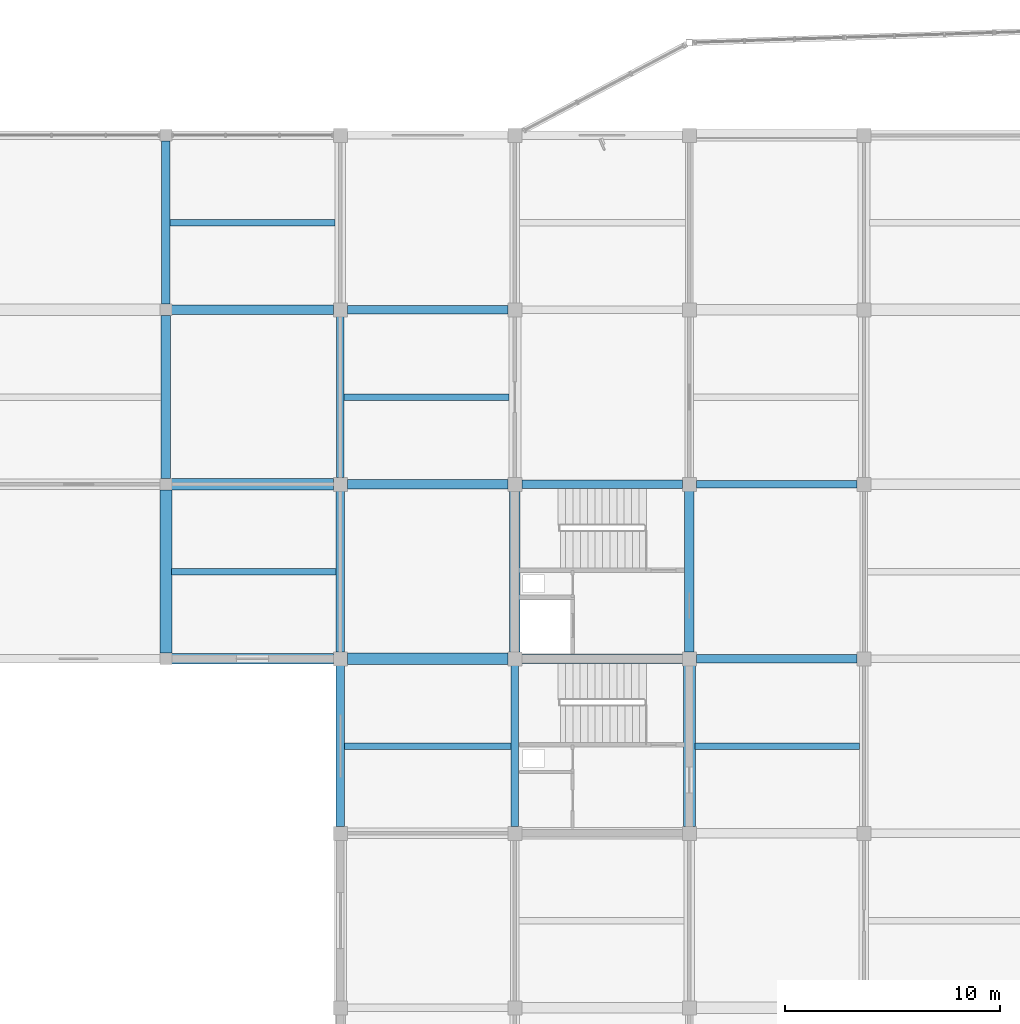
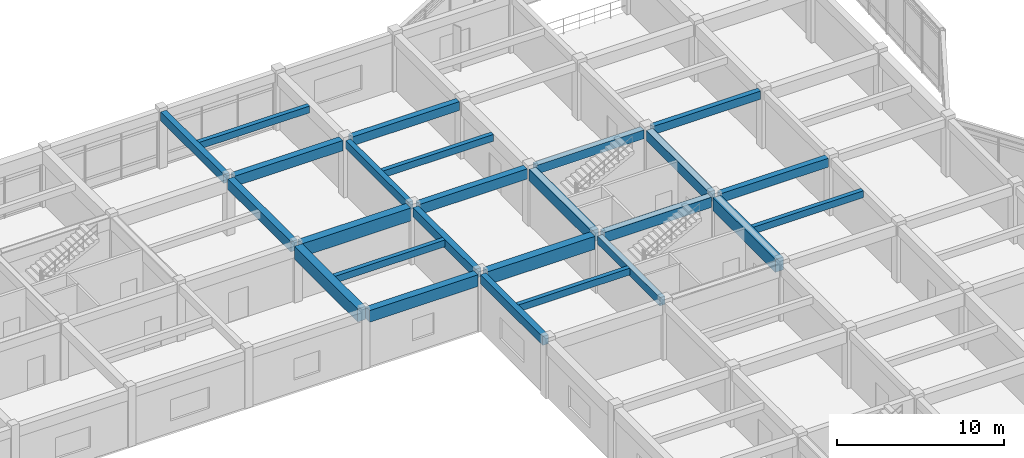
# One storey, part 18 of 42: 25 beams.
"""IFC4 building model written with IfcOpenShell, lengths in metres."""

from ifc_helpers import new_model, si_unit, direction, frame, origin, origin_2d, place, context, subcontext, project, spatial, rectangle, extrude, material, material_profile, profile_set, type_object, element, save


model = new_model("IFC4")

# Units and contexts
model_context = context("Model", 3, precision=1e-05, world=origin(), true_north=direction((0.0, 1.0)))
body_context = subcontext(model_context, "Body", "Model", "MODEL_VIEW")
ifc_project = project(units=[si_unit("LENGTHUNIT", "METRE"), si_unit("AREAUNIT", "SQUARE_METRE"), si_unit("VOLUMEUNIT", "CUBIC_METRE"), si_unit("PLANEANGLEUNIT", "RADIAN"), si_unit("MASSUNIT", "GRAM", prefix="KILO")], contexts=[model_context])

# Site, building, storey
site_placement = place(None, origin())
site = spatial("IfcSite", under=ifc_project, at=site_placement, CompositionType="ELEMENT")
building_placement = place(site_placement, origin())
building = spatial("IfcBuilding", under=site, at=building_placement, Name="Vaudrelin Polytechnic", CompositionType="ELEMENT")
storey_placement = place(building_placement, frame((0.0, 0.0, 18.530029296875)))
storey = spatial("IfcBuildingStorey", under=building, at=storey_placement, Name="L04", CompositionType="ELEMENT", Elevation=18.530029296875)

# Beams
ifc_material_1 = material(Name="Concrete 40 MPa", Category="concrete")
ifc_material_profile_1 = material_profile(ifc_material_1, rectangle(XDim=0.35009765625, YDim=0.60009765625, at=origin_2d()), Name="RC350x600")
ifc_profile_set_1 = profile_set([ifc_material_profile_1], Name="Concrete 40 MPa")
beam_type_1 = type_object("IfcBeamType", Name="BM-BM-RC3560", PredefinedType="BEAM", material=ifc_profile_set_1)
for number, where, z_axis, x_axis, name in (
    (1, (137.699951171875, 105.610107421875, 3.85986328125), (0.0, 1.0, 0.0), (-1.0, 0.0, 0.0), "L04 Y-beam 18-14"),
    (2, (145.800048828125, 89.409912109375, 3.85986328125), (0.0, 1.0, 0.0), (-1.0, 0.0, 0.0), "L04 Y-beam 19-12"),
):
    element("IfcBeam", number, at=place(storey_placement, frame(where, z_axis=z_axis, x_axis=x_axis)), inside=storey, type_object=beam_type_1, Name=name, PredefinedType="BEAM", context=body_context, shape_type="SweptSolid", body=[
        extrude(rectangle(XDim=0.35009765625, YDim=0.60009765625, at=origin_2d()), origin(), (0.0, 0.0, 1.0), 7.47998046875),
    ])
beam_1_placement = place(storey_placement, frame((154.220947265625, 105.300048828125, 3.85986328125), z_axis=(1.0, 0.0, 0.0), x_axis=(0.0, 1.0, 0.0)))
element("IfcBeam", 3, at=beam_1_placement, inside=storey, type_object=beam_type_1, Name="L04 X-beam 20-14", PredefinedType="BEAM", context=body_context, shape_type="SweptSolid", body=[
    extrude(rectangle(XDim=0.35009765625, YDim=0.60009765625, at=origin_2d()), origin(), (0.0, 0.0, 1.0), 7.4580078125),
])
ifc_material_profile_2 = material_profile(ifc_material_1, rectangle(XDim=0.39990234375, YDim=0.64990234375, at=origin_2d()), Name="RC400x650")
ifc_profile_set_2 = profile_set([ifc_material_profile_2], Name="Concrete 40 MPa")
beam_type_2 = type_object("IfcBeamType", Name="BM-BM-RC4065", PredefinedType="BEAM", material=ifc_profile_set_2)
beam_2_placement = place(storey_placement, frame((129.60009765625, 113.659912109375, 3.8349609375), z_axis=(0.0, 1.0, 0.0), x_axis=(-1.0, 0.0, 0.0)))
element("IfcBeam", 4, at=beam_2_placement, inside=storey, type_object=beam_type_2, Name="L04 Y-beam 17-15", PredefinedType="BEAM", context=body_context, shape_type="SweptSolid", body=[
    extrude(rectangle(XDim=0.39990234375, YDim=0.64990234375, at=origin_2d()), origin(), (0.0, 0.0, 1.0), 7.580078125),
])
beam_3_placement = place(storey_placement, frame((137.699951171875, 97.510009765625, 3.8349609375), z_axis=(0.0, 1.0, 0.0), x_axis=(-1.0, 0.0, 0.0)))
element("IfcBeam", 5, at=beam_3_placement, inside=storey, type_object=beam_type_2, Name="L04 Y-beam 18-13", PredefinedType="BEAM", context=body_context, shape_type="SweptSolid", body=[
    extrude(rectangle(XDim=0.39990234375, YDim=0.64990234375, at=origin_2d()), origin(), (0.0, 0.0, 1.0), 7.47998046875),
])
for number, where, z_axis, x_axis, name in (
    (6, (138.02099609375, 113.39990234375, 3.8349609375), (1.0, 0.0, 0.0), (0.0, 1.0, 0.0), "L04 X-beam 18-15"),
    (7, (146.12109375, 105.300048828125, 3.8349609375), (1.0, 0.0, 0.0), (0.0, 1.0, 0.0), "L04 X-beam 19-14"),
    (8, (154.220947265625, 97.199951171875, 3.8349609375), (1.0, 0.0, 0.0), (0.0, 1.0, 0.0), "L04 X-beam 20-13"),
):
    element("IfcBeam", number, at=place(storey_placement, frame(where, z_axis=z_axis, x_axis=x_axis)), inside=storey, type_object=beam_type_2, Name=name, PredefinedType="BEAM", context=body_context, shape_type="SweptSolid", body=[
        extrude(rectangle(XDim=0.39990234375, YDim=0.64990234375, at=origin_2d()), origin(), (0.0, 0.0, 1.0), 7.4580078125),
    ])
ifc_material_profile_3 = material_profile(ifc_material_1, rectangle(XDim=0.449951171875, YDim=0.75, at=origin_2d()), Name="RC450x750")
ifc_profile_set_3 = profile_set([ifc_material_profile_3], Name="Concrete 40 MPa")
beam_type_3 = type_object("IfcBeamType", Name="BM-BM-RC4575", PredefinedType="BEAM", material=ifc_profile_set_3)
beam_4_placement = place(storey_placement, frame((129.60009765625, 105.56005859375, 3.784912109375), z_axis=(0.0, 1.0, 0.0), x_axis=(-1.0, 0.0, 0.0)))
element("IfcBeam", 9, at=beam_4_placement, inside=storey, type_object=beam_type_3, Name="L04 Y-beam 17-14", PredefinedType="BEAM", context=body_context, shape_type="SweptSolid", body=[
    extrude(rectangle(XDim=0.449951171875, YDim=0.75, at=origin_2d()), origin(), (0.0, 0.0, 1.0), 7.579833984375),
])
beam_5_placement = place(storey_placement, frame((153.89990234375, 97.510009765625, 3.784912109375), z_axis=(0.0, 1.0, 0.0), x_axis=(-1.0, 0.0, 0.0)))
element("IfcBeam", 10, at=beam_5_placement, inside=storey, type_object=beam_type_3, Name="L04 Y-beam 20-13", PredefinedType="BEAM", context=body_context, shape_type="SweptSolid", body=[
    extrude(rectangle(XDim=0.449951171875, YDim=0.75, at=origin_2d()), origin(), (0.0, 0.0, 1.0), 7.47998046875),
])
beam_6_placement = place(storey_placement, frame((129.87109375, 113.39990234375, 3.784912109375), z_axis=(1.0, 0.0, 0.0), x_axis=(0.0, 1.0, 0.0)))
element("IfcBeam", 11, at=beam_6_placement, inside=storey, type_object=beam_type_3, Name="L04 X-beam 17-15", PredefinedType="BEAM", context=body_context, shape_type="SweptSolid", body=[
    extrude(rectangle(XDim=0.449951171875, YDim=0.75, at=origin_2d()), origin(), (0.0, 0.0, 1.0), 7.5078125),
])
for number, where, z_axis, x_axis, name in (
    (12, (138.02099609375, 105.300048828125, 3.784912109375), (1.0, 0.0, 0.0), (0.0, 1.0, 0.0), "L04 X-beam 18-14"),
    (13, (146.12109375, 97.199951171875, 3.784912109375), (1.0, 0.0, 0.0), (0.0, 1.0, 0.0), "L04 X-beam 19-13"),
):
    element("IfcBeam", number, at=place(storey_placement, frame(where, z_axis=z_axis, x_axis=x_axis)), inside=storey, type_object=beam_type_3, Name=name, PredefinedType="BEAM", context=body_context, shape_type="SweptSolid", body=[
        extrude(rectangle(XDim=0.449951171875, YDim=0.75, at=origin_2d()), origin(), (0.0, 0.0, 1.0), 7.4580078125),
    ])
ifc_material_profile_4 = material_profile(ifc_material_1, rectangle(XDim=0.5, YDim=0.85009765625, at=origin_2d()), Name="RC500x850")
ifc_profile_set_4 = profile_set([ifc_material_profile_4], Name="Concrete 40 MPa")
beam_type_4 = type_object("IfcBeamType", Name="BM-BM-RC5085", PredefinedType="BEAM", material=ifc_profile_set_4)
beam_7_placement = place(storey_placement, frame((145.800048828125, 97.510009765625, 3.73486328125), z_axis=(0.0, 1.0, 0.0), x_axis=(-1.0, 0.0, 0.0)))
element("IfcBeam", 14, at=beam_7_placement, inside=storey, type_object=beam_type_4, Name="L04 Y-beam 19-13", PredefinedType="BEAM", context=body_context, shape_type="SweptSolid", body=[
    extrude(rectangle(XDim=0.5, YDim=0.85009765625, at=origin_2d()), origin(), (0.0, 0.0, 1.0), 7.47998046875),
])
beam_8_placement = place(storey_placement, frame((129.87109375, 97.199951171875, 3.73486328125), z_axis=(1.0, 0.0, 0.0), x_axis=(0.0, 1.0, 0.0)))
element("IfcBeam", 15, at=beam_8_placement, inside=storey, type_object=beam_type_4, Name="L04 X-beam 17-13", PredefinedType="BEAM", context=body_context, shape_type="SweptSolid", body=[
    extrude(rectangle(XDim=0.5, YDim=0.85009765625, at=origin_2d()), origin(), (0.0, 0.0, 1.0), 7.5078125),
])
ifc_material_2 = material(Name="Concrete 50 MPa", Category="concrete")
ifc_material_profile_5 = material_profile(ifc_material_2, rectangle(XDim=0.550048828125, YDim=0.949951171875, at=origin_2d()), Name="RC550x950")
ifc_profile_set_5 = profile_set([ifc_material_profile_5], Name="Concrete 50 MPa")
beam_type_5 = type_object("IfcBeamType", Name="BM-BM-RC5595", PredefinedType="BEAM", material=ifc_profile_set_5)
beam_9_placement = place(storey_placement, frame((129.60009765625, 97.4599609375, 3.68505859375), z_axis=(0.0, 1.0, 0.0), x_axis=(-1.0, 0.0, 0.0)))
element("IfcBeam", 16, at=beam_9_placement, inside=storey, type_object=beam_type_5, Name="L04 Y-beam 17-13", PredefinedType="BEAM", context=body_context, shape_type="SweptSolid", body=[
    extrude(rectangle(XDim=0.550048828125, YDim=0.949951171875, at=origin_2d()), origin(), (0.0, 0.0, 1.0), 7.580078125),
])
beam_10_placement = place(storey_placement, frame((153.89990234375, 89.409912109375, 3.68505859375), z_axis=(0.0, 1.0, 0.0), x_axis=(-1.0, 0.0, 0.0)))
element("IfcBeam", 17, at=beam_10_placement, inside=storey, type_object=beam_type_5, Name="L04 Y-beam 20-12", PredefinedType="BEAM", context=body_context, shape_type="SweptSolid", body=[
    extrude(rectangle(XDim=0.550048828125, YDim=0.949951171875, at=origin_2d()), origin(), (0.0, 0.0, 1.0), 7.47998046875),
])
beam_11_placement = place(storey_placement, frame((129.87109375, 105.300048828125, 3.68505859375), z_axis=(1.0, 0.0, 0.0), x_axis=(0.0, 1.0, 0.0)))
element("IfcBeam", 18, at=beam_11_placement, inside=storey, type_object=beam_type_5, Name="L04 X-beam 17-14", PredefinedType="BEAM", context=body_context, shape_type="SweptSolid", body=[
    extrude(rectangle(XDim=0.550048828125, YDim=0.949951171875, at=origin_2d()), origin(), (0.0, 0.0, 1.0), 7.5078125),
])
beam_12_placement = place(storey_placement, frame((138.02099609375, 97.199951171875, 3.68505859375), z_axis=(1.0, 0.0, 0.0), x_axis=(0.0, 1.0, 0.0)))
element("IfcBeam", 19, at=beam_12_placement, inside=storey, type_object=beam_type_5, Name="L04 X-beam 18-13", PredefinedType="BEAM", context=body_context, shape_type="SweptSolid", body=[
    extrude(rectangle(XDim=0.550048828125, YDim=0.949951171875, at=origin_2d()), origin(), (0.0, 0.0, 1.0), 7.4580078125),
])
ifc_material_profile_6 = material_profile(ifc_material_1, rectangle(XDim=0.300048828125, YDim=0.5, at=origin_2d()), Name="RC300x500")
ifc_profile_set_6 = profile_set([ifc_material_profile_6], Name="Concrete 40 MPa")
beam_type_6 = type_object("IfcBeamType", Name="BM-JS-RC3050", PredefinedType="JOIST", material=ifc_profile_set_6)
beam_13_placement = place(storey_placement, frame((129.87109375, 101.25, 3.909912109375), z_axis=(1.0, 0.0, 0.0), x_axis=(0.0, 1.0, 0.0)))
element("IfcBeam", 20, at=beam_13_placement, inside=storey, type_object=beam_type_6, Name="L04 floor joist 17-13", PredefinedType="JOIST", context=body_context, shape_type="SweptSolid", body=[
    extrude(rectangle(XDim=0.300048828125, YDim=0.5, at=origin_2d()), origin(), (0.0, 0.0, 1.0), 7.6328125),
])
beam_14_placement = place(storey_placement, frame((129.7958984375, 117.449951171875, 3.909912109375), z_axis=(1.0, 0.0, 0.0), x_axis=(0.0, 1.0, 0.0)))
element("IfcBeam", 21, at=beam_14_placement, inside=storey, type_object=beam_type_6, Name="L04 floor joist 17-15", PredefinedType="JOIST", context=body_context, shape_type="SweptSolid", body=[
    extrude(rectangle(XDim=0.300048828125, YDim=0.5, at=origin_2d()), origin(), (0.0, 0.0, 1.0), 7.658203125),
])
beam_15_placement = place(storey_placement, frame((137.89599609375, 93.14990234375, 3.909912109375), z_axis=(1.0, 0.0, 0.0), x_axis=(0.0, 1.0, 0.0)))
element("IfcBeam", 22, at=beam_15_placement, inside=storey, type_object=beam_type_6, Name="L04 floor joist 18-12", PredefinedType="JOIST", context=body_context, shape_type="SweptSolid", body=[
    extrude(rectangle(XDim=0.300048828125, YDim=0.5, at=origin_2d()), origin(), (0.0, 0.0, 1.0), 7.73291015625),
])
beam_16_placement = place(storey_placement, frame((137.87109375, 109.35009765625, 3.909912109375), z_axis=(1.0, 0.0, 0.0), x_axis=(0.0, 1.0, 0.0)))
element("IfcBeam", 23, at=beam_16_placement, inside=storey, type_object=beam_type_6, Name="L04 floor joist 18-14", PredefinedType="JOIST", context=body_context, shape_type="SweptSolid", body=[
    extrude(rectangle(XDim=0.300048828125, YDim=0.5, at=origin_2d()), origin(), (0.0, 0.0, 1.0), 7.657958984375),
])
beam_17_placement = place(storey_placement, frame((154.1708984375, 93.14990234375, 3.909912109375), z_axis=(1.0, 0.0, 0.0), x_axis=(0.0, 1.0, 0.0)))
element("IfcBeam", 24, at=beam_17_placement, inside=storey, type_object=beam_type_6, Name="L04 floor joist 20-12", PredefinedType="JOIST", context=body_context, shape_type="SweptSolid", body=[
    extrude(rectangle(XDim=0.300048828125, YDim=0.5, at=origin_2d()), origin(), (0.0, 0.0, 1.0), 7.633056640625),
])
ifc_material_profile_7 = material_profile(ifc_material_1, rectangle(XDim=0.39990234375, YDim=0.64990234375, at=origin_2d()), Name="RC400x650")
ifc_profile_set_7 = profile_set([ifc_material_profile_7], Name="Concrete 40 MPa")
beam_type_7 = type_object("IfcBeamType", Name="BM-SP-RC4065", PredefinedType="SPANDREL", material=ifc_profile_set_7)
beam_18_placement = place(storey_placement, frame((137.699951171875, 89.409912109375, 3.8349609375), z_axis=(0.0, 1.0, 0.0), x_axis=(-1.0, 0.0, 0.0)))
element("IfcBeam", 25, at=beam_18_placement, inside=storey, type_object=beam_type_7, Name="L04 Y-beam 18-12", PredefinedType="SPANDREL", context=body_context, shape_type="SweptSolid", body=[
    extrude(rectangle(XDim=0.39990234375, YDim=0.64990234375, at=origin_2d()), origin(), (0.0, 0.0, 1.0), 7.47998046875),
])

save(model, "model.ifc")
